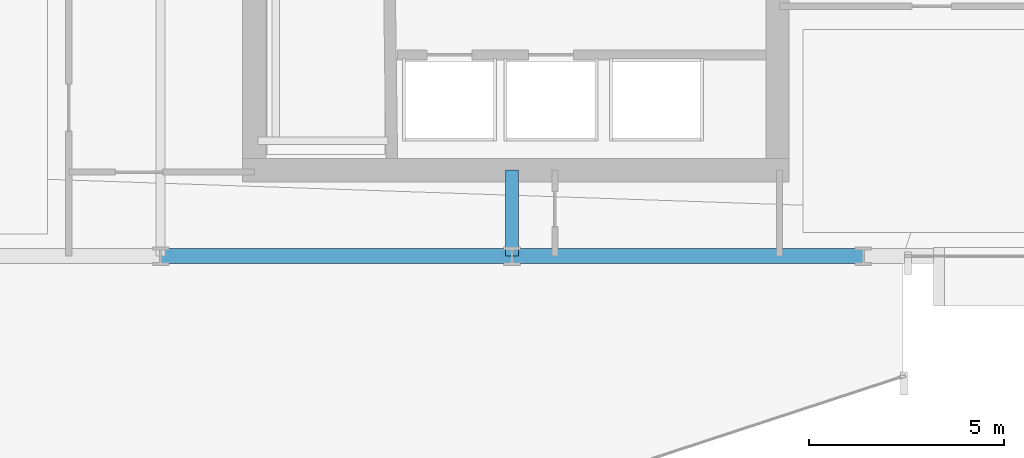
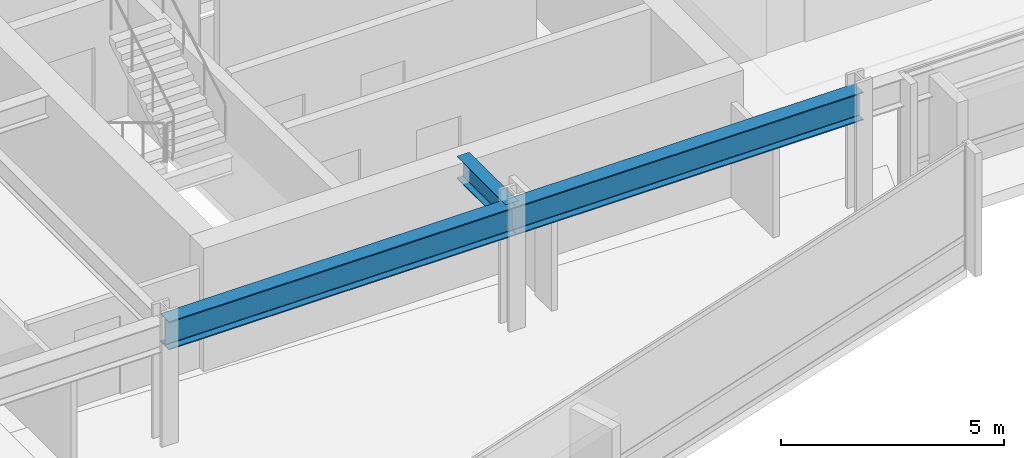
# One storey, part 11 of 34: 3 beams.
"""IFC4 building model written with IfcOpenShell, lengths in metres."""

from ifc_helpers import new_model, si_unit, direction, frame, origin, origin_2d, place, context, subcontext, project, spatial, i_section, extrude, material, material_profile, profile_set, type_object, element, save


model = new_model("IFC4")

# Units and contexts
model_context = context("Model", 3, precision=1e-05, world=origin(), true_north=direction((0.0, 1.0)))
body_context = subcontext(model_context, "Body", "Model", "MODEL_VIEW")
ifc_project = project(units=[si_unit("LENGTHUNIT", "METRE"), si_unit("AREAUNIT", "SQUARE_METRE"), si_unit("VOLUMEUNIT", "CUBIC_METRE"), si_unit("PLANEANGLEUNIT", "RADIAN"), si_unit("MASSUNIT", "GRAM", prefix="KILO")], contexts=[model_context])

# Site, building, storey
site_placement = place(None, origin())
site = spatial("IfcSite", under=ifc_project, at=site_placement, CompositionType="ELEMENT")
building_placement = place(site_placement, origin())
building = spatial("IfcBuilding", under=site, at=building_placement, Name="Solvaryn Broadcast Tower", CompositionType="ELEMENT")
storey_placement = place(building_placement, frame((0.0, 0.0, 96.5)))
storey = spatial("IfcBuildingStorey", under=building, at=storey_placement, Name="L23", CompositionType="ELEMENT", Elevation=96.5)

# Beams
ifc_material_1 = material(Name="Steel ASTM A992 Grade 50", Category="steel")
ifc_material_profile_1 = material_profile(ifc_material_1, i_section(OverallWidth=0.323974609375, OverallDepth=0.611083984375, WebThickness=0.0126953125, FlangeThickness=0.01904296875, FilletRadius=0.014892578125, at=origin_2d()))
ifc_profile_set_1 = profile_set([ifc_material_profile_1], Name="Steel ASTM A992 Grade 50")
beam_type_1 = type_object("IfcBeamType", Name="BM-B1-W24X104", PredefinedType="BEAM", material=ifc_profile_set_1)
beam_placement = place(storey_placement, frame((36.0, 9.0, 3.064453125), z_axis=(0.0, 1.0, 0.0), x_axis=(-1.0, 0.0, 0.0)))
element("IfcBeam", 1, at=beam_placement, inside=storey, type_object=beam_type_1, Name="L23 Core Tie Beam CTE1", PredefinedType="BEAM", context=body_context, shape_type="SweptSolid", body=[
    extrude(i_section(OverallWidth=0.323974609375, OverallDepth=0.611083984375, WebThickness=0.0126953125, FlangeThickness=0.01904296875, FilletRadius=0.014892578125, at=origin_2d()), origin(), (0.0, 0.0, 1.0), 2.199951171875),
])
ifc_material_2 = material(Name="Steel ASTM A992 Grade 50", Category="steel")
ifc_material_profile_2 = material_profile(ifc_material_2, i_section(OverallWidth=0.381103515625, OverallDepth=0.77294921875, WebThickness=0.0166015625, FlangeThickness=0.027099609375, FilletRadius=0.01806640625, at=origin_2d()))
ifc_profile_set_2 = profile_set([ifc_material_profile_2], Name="Steel ASTM A992 Grade 50")
beam_type_2 = type_object("IfcBeamType", Name="BM-SP1-W30X173", PredefinedType="USERDEFINED", material=ifc_profile_set_2)
for number, where, z_axis, x_axis, name in (
    (2, (27.0, 9.0, 2.9833984375), (1.0, 0.0, 0.0), (0.0, 1.0, 0.0), "L23 Spandrel Beam X (27-36 @ Y=9)"),
    (3, (36.0, 9.0, 2.9833984375), (1.0, 0.0, 0.0), (0.0, 1.0, 0.0), "L23 Spandrel Beam X (36-45 @ Y=9)"),
):
    element("IfcBeam", number, at=place(storey_placement, frame(where, z_axis=z_axis, x_axis=x_axis)), inside=storey, type_object=beam_type_2, Name=name, ObjectType="SPANDREL", PredefinedType="USERDEFINED", context=body_context, shape_type="SweptSolid", body=[
        extrude(i_section(OverallWidth=0.381103515625, OverallDepth=0.77294921875, WebThickness=0.0166015625, FlangeThickness=0.027099609375, FilletRadius=0.01806640625, at=origin_2d()), origin(), (0.0, 0.0, 1.0), 9.0),
    ])

save(model, "model.ifc")
